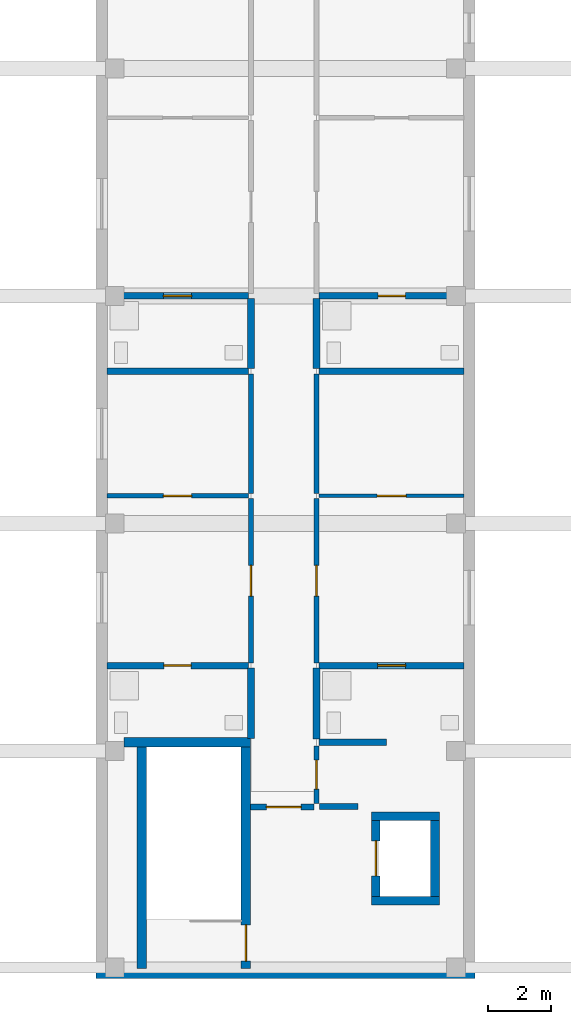
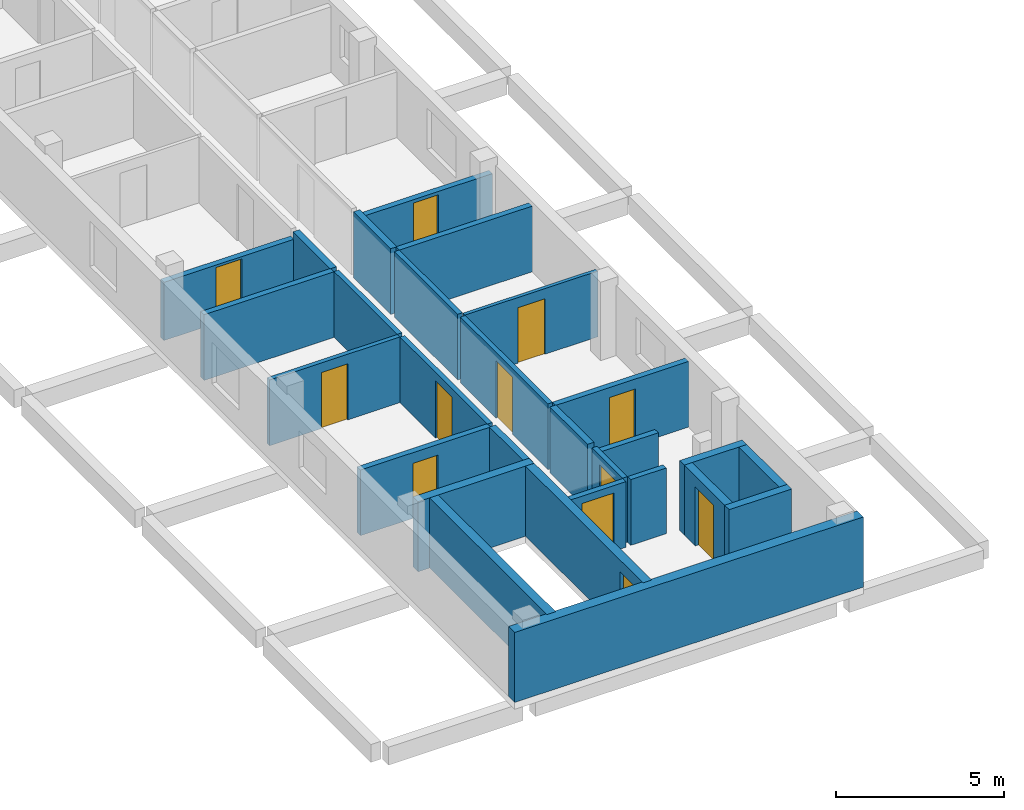
# One storey, part 11 of 34: 28 walls, 12 doors, 12 openings.
"""IFC4 building model written with IfcOpenShell, lengths in metres."""

import ifcopenshell
import ifcopenshell.guid

model = None  # the IFC model being written
_history = None  # IfcOwnerHistory: only IFC2X3 demands one
_inside = {}  # id of a spatial element -> (the spatial element, [elements in it])
_under = {}  # id of a project, library or spatial element -> (it, [spatial elements below it])
_declared = {}  # id of a project -> (the project, [libraries it declares])
_typed = {}  # id of a type object -> (the type object, [elements of that type])
_made_of = {}  # id of a material, layer set ... -> (it, [elements and type objects made of it])


def new_model(schema):
    """Start an empty IFC model of exactly this schema.

    Asked for "IFC4X3", IfcOpenShell would pick the latest addendum, in which some entities
    have other attributes; the version numbers below select the first issue.
    IFC2X3 requires an IfcOwnerHistory on every rooted entity: one is made here for all.
    """
    global model, _history
    if schema == "IFC4X3":
        model = ifcopenshell.file(schema_version=(4, 3, 0, 0))
    else:
        model = ifcopenshell.file(schema=schema)
    _inside.clear()
    _under.clear()
    _declared.clear()
    _typed.clear()
    _made_of.clear()
    _history = None
    if model.schema == "IFC2X3":
        org = make("IfcOrganization", Name="unknown")
        user = make(
            "IfcPersonAndOrganization",
            ThePerson=make("IfcPerson", FamilyName="unknown"),
            TheOrganization=org,
        )
        app = make(
            "IfcApplication",
            ApplicationDeveloper=org,
            Version="unknown",
            ApplicationFullName="unknown",
            ApplicationIdentifier="unknown",
        )
        _history = make(
            "IfcOwnerHistory",
            OwningUser=user,
            OwningApplication=app,
            ChangeAction="ADDED",
            CreationDate=0,
        )
    return model


def make(cls, **values):
    """One entity of the class cls with the attributes given. An attribute that is None is left unset."""
    return model.create_entity(
        cls, **{name: value for name, value in values.items() if value is not None}
    )


def rooted(cls, **values):
    """An entity with a GlobalId (a new one), such as an element, a storey or a relation."""
    return make(cls, GlobalId=ifcopenshell.guid.new(), OwnerHistory=_history, **values)


def si_unit(unit_type, name, prefix=None):
    """IfcSIUnit, for example si_unit("LENGTHUNIT", "METRE", prefix="MILLI")."""
    return make("IfcSIUnit", UnitType=unit_type, Prefix=prefix, Name=name)


def derived_unit(unit_type, elements):
    """IfcDerivedUnit: a product of units, each with its exponent."""
    return make(
        "IfcDerivedUnit",
        Elements=[
            make("IfcDerivedUnitElement", Unit=unit, Exponent=power)
            for unit, power in elements
        ],
        UnitType=unit_type,
    )


def assignment(units):
    """IfcUnitAssignment: the units of a project."""
    return None if units is None else make("IfcUnitAssignment", Units=units)


def point(xyz):
    """IfcCartesianPoint."""
    return None if xyz is None else make("IfcCartesianPoint", Coordinates=xyz)


def direction(xyz):
    """IfcDirection."""
    return None if xyz is None else make("IfcDirection", DirectionRatios=xyz)


def frame(location, z_axis=None, x_axis=None):
    """IfcAxis2Placement3D, a coordinate frame: its origin and axes. An axis left out is left unset."""
    return make(
        "IfcAxis2Placement3D",
        Location=point(location),
        Axis=direction(z_axis),
        RefDirection=direction(x_axis),
    )


def frame_2d(location, x_axis=None):
    """IfcAxis2Placement2D, a coordinate frame in the plane: its origin and x axis."""
    return make(
        "IfcAxis2Placement2D", Location=point(location), RefDirection=direction(x_axis)
    )


def origin():
    """The frame at (0, 0, 0) with its axes left unset."""
    return frame((0.0, 0.0, 0.0))


def place(relative_to, where):
    """IfcLocalPlacement: puts the frame where relative to a parent placement (None: the world)."""
    return make(
        "IfcLocalPlacement", PlacementRelTo=relative_to, RelativePlacement=where
    )


def context(
    kind, dimensions, precision=None, world=None, true_north=None, identifier=None
):
    """IfcGeometricRepresentationContext, for example the 3D "Model" context."""
    return make(
        "IfcGeometricRepresentationContext",
        ContextIdentifier=identifier,
        ContextType=kind,
        CoordinateSpaceDimension=dimensions,
        Precision=precision,
        WorldCoordinateSystem=world,
        TrueNorth=true_north,
    )


def subcontext(parent, identifier, kind, view, scale=None):
    """IfcGeometricRepresentationSubContext, for example "Body" below "Model"."""
    return make(
        "IfcGeometricRepresentationSubContext",
        ContextIdentifier=identifier,
        ContextType=kind,
        ParentContext=parent,
        TargetScale=scale,
        TargetView=view,
    )


def project(units=None, contexts=None):
    """IfcProject with its units and contexts."""
    return rooted(
        "IfcProject",
        Name="project",
        RepresentationContexts=contexts,
        UnitsInContext=assignment(units),
    )


def spatial(cls, under=None, at=None, **own):
    """A site, building, storey or space (cls), placed at a placement, below another one or the project."""
    s = rooted(cls, ObjectPlacement=at, **own)
    if under is not None:
        _under.setdefault(under.id(), (under, []))[1].append(s)
    return s


def profile(cls, at=None, kind="AREA", **sizes):
    """A parametric profile (cls). Its sizes go by their IFC names, for example OverallWidth=200.0."""
    return make(cls, ProfileType=kind, Position=at, **sizes)


def rectangle(**sizes):
    """IfcRectangleProfileDef."""
    return profile("IfcRectangleProfileDef", **sizes)


def extrude(swept, where, along, depth):
    """IfcExtrudedAreaSolid: the profile swept, set in the frame where, extruded along a direction by depth."""
    return make(
        "IfcExtrudedAreaSolid",
        SweptArea=swept,
        Position=where,
        ExtrudedDirection=direction(along),
        Depth=depth,
    )


def shape(context_of_items, identifier, shape_type, items):
    """IfcShapeRepresentation: the items that make up one representation, for example the "Body"."""
    return make(
        "IfcShapeRepresentation",
        ContextOfItems=context_of_items,
        RepresentationIdentifier=identifier,
        RepresentationType=shape_type,
        Items=items,
    )


def material(Name=None, Category=None):
    """IfcMaterial."""
    return make("IfcMaterial", Name=Name, Category=Category)


def layer(
    of_material, thickness, ventilated=None, Name=None, Category=None, Priority=None
):
    """IfcMaterialLayer: one layer of a wall or slab, of a material (None: an air gap)."""
    return make(
        "IfcMaterialLayer",
        Material=of_material,
        LayerThickness=thickness,
        IsVentilated=ventilated,
        Name=Name,
        Category=Category,
        Priority=Priority,
    )


def layer_set(layers, Name=None):
    """IfcMaterialLayerSet."""
    return make("IfcMaterialLayerSet", MaterialLayers=layers, LayerSetName=Name)


def made_of(thing, what):
    """Note that an element or type object is made of a material, layer set ...; save() writes the relation."""
    if what is not None:
        _made_of.setdefault(what.id(), (what, []))[1].append(thing)
    return thing


def type_object(cls, material=None, **own):
    """A type object (cls), such as IfcWallType, which elements share."""
    return made_of(rooted(cls, **own), material)


def element(
    cls,
    number,
    at=None,
    inside=None,
    cuts=None,
    type_object=None,
    material=None,
    context=None,
    identifier="Body",
    shape_type=None,
    held_by="IfcProductDefinitionShape",
    body=None,
    shapes=None,
    **own,
):
    """One element of the class cls, such as IfcWall. Its Tag is "e" and its number.

    at: its placement. inside: the storey or other place that contains it. cuts: it is an
    opening in that element (IfcRelVoidsElement). A single representation is given by context,
    identifier, shape_type and body (its items); several are given by shapes. held_by: the class
    of the entity that holds the representations. save() writes the other relations.
    """
    e = rooted(cls, Tag="e%d" % number, ObjectPlacement=at, **own)
    if body is not None:
        shapes = [shape(context, identifier, shape_type, body)]
    if shapes is not None:
        e.Representation = make(held_by, Representations=shapes)
    if inside is not None:
        _inside.setdefault(inside.id(), (inside, []))[1].append(e)
    if cuts is not None:
        rooted(
            "IfcRelVoidsElement", RelatingBuildingElement=cuts, RelatedOpeningElement=e
        )
    if type_object is not None:
        _typed.setdefault(type_object.id(), (type_object, []))[1].append(e)
    return made_of(e, material)


def fill(opening, filler):
    """IfcRelFillsElement: the door or window that sits in an opening."""
    return rooted(
        "IfcRelFillsElement",
        RelatingOpeningElement=opening,
        RelatedBuildingElement=filler,
    )


def aggregate(whole, parts):
    """IfcRelAggregates: a whole, such as a stair, and the parts it consists of."""
    return rooted("IfcRelAggregates", RelatingObject=whole, RelatedObjects=parts)


def save(model, path):
    """Write the relations noted so far, then the file.

    IfcRelAggregates (storeys below a building ...), IfcRelContainedInSpatialStructure (elements
    in a storey), IfcRelDefinesByType, IfcRelAssociatesMaterial and IfcRelDeclares: one each for
    every whole, place, type object, material and project.
    """
    for whole, parts in _under.values():
        aggregate(whole, parts)
    for where, things in _inside.values():
        rooted(
            "IfcRelContainedInSpatialStructure",
            RelatedElements=things,
            RelatingStructure=where,
        )
    for kind, things in _typed.values():
        rooted("IfcRelDefinesByType", RelatedObjects=things, RelatingType=kind)
    for what, things in _made_of.values():
        rooted("IfcRelAssociatesMaterial", RelatedObjects=things, RelatingMaterial=what)
    for by, libraries in _declared.values():
        rooted("IfcRelDeclares", RelatingContext=by, RelatedDefinitions=libraries)
    model.write(path)


model = new_model("IFC4")

# Units and contexts
model_context = context("Model", 3, precision=1e-05, world=origin(), true_north=direction((0.0, 1.0)))
body_context = subcontext(model_context, "Body", "Model", "MODEL_VIEW")
ifc_project = project(units=[si_unit("LENGTHUNIT", "METRE"), si_unit("AREAUNIT", "SQUARE_METRE"), si_unit("VOLUMEUNIT", "CUBIC_METRE"), si_unit("PLANEANGLEUNIT", "RADIAN"), si_unit("MASSUNIT", "GRAM", prefix="KILO"), derived_unit("THERMALTRANSMITTANCEUNIT", [(si_unit("MASSUNIT", "GRAM", prefix="KILO"), 1), (si_unit("TIMEUNIT", "SECOND"), -3), (si_unit("THERMODYNAMICTEMPERATUREUNIT", "KELVIN"), -1)])], contexts=[model_context])

# Site, building, storey
site_placement = place(None, origin())
site = spatial("IfcSite", under=ifc_project, at=site_placement, CompositionType="ELEMENT")
building_placement = place(site_placement, origin())
building = spatial("IfcBuilding", under=site, at=building_placement, Name="Ochrekiln Boulevard Commons", CompositionType="ELEMENT")
storey_placement = place(building_placement, frame((0.0, 0.0, 27.824951171875)))
storey = spatial("IfcBuildingStorey", under=building, at=storey_placement, Name="L08", CompositionType="ELEMENT", Elevation=27.824951171875)

# Walls
ifc_material_1 = material(Name="Iron-spot brown clinker brick masonry ASTM C216 Grade SW", Category="masonry")
ifc_layer_1 = layer(ifc_material_1, 0.364990234375)
ifc_layer_set_1 = layer_set([ifc_layer_1], Name="Iron-spot brown clinker brick masonry ASTM C216 Grade SW")
wall_type_1 = type_object("IfcWallType", Name="WL-EXT-IRON-365", PredefinedType="SOLIDWALL", material=ifc_layer_set_1)
wall_1_placement = place(storey_placement, frame((4.800048828125, 0.1826171875, 0.0), z_axis=(0.0, 0.0, 1.0), x_axis=(1.0, 0.0, 0.0)))
element("IfcWall", 1, at=wall_1_placement, inside=storey, type_object=wall_type_1, Name="Block D L08 S Exterior Wall", PredefinedType="SOLIDWALL", context=body_context, shape_type="SweptSolid", body=[
    extrude(rectangle(XDim=12.0, YDim=0.364990234375, at=frame_2d((6.0, 0.0))), origin(), (0.0, 0.0, 1.0), 2.550048828125),
])
ifc_material_2 = material(Name="Moisture-resistant cementitious tile backer wall")
ifc_layer_2 = layer(ifc_material_2, 0.199951171875)
ifc_layer_set_2 = layer_set([ifc_layer_2], Name="Moisture-resistant cementitious tile backer wall")
wall_type_2 = type_object("IfcWallType", Name="WL-PLM-200", PredefinedType="PLUMBINGWALL", material=ifc_layer_set_2)
wall_2_placement = place(storey_placement, frame((11.8720703125, 7.47509765625, 0.0), z_axis=(0.0, 0.0, 1.0), x_axis=(1.0, 0.0, 0.0)))
element("IfcWall", 2, at=wall_2_placement, inside=storey, type_object=wall_type_2, Name="L08 Interior Wall W-PW200", PredefinedType="PLUMBINGWALL", context=body_context, shape_type="SweptSolid", body=[
    extrude(rectangle(XDim=2.1279296875, YDim=0.199951171875, at=frame_2d((1.06396484375, 0.0))), origin(), (0.0, 0.0, 1.0), 2.1201171875),
])

# Wall, opening, door
wall_3_placement = place(storey_placement, frame((5.14990234375, 9.89990234375, 0.0), z_axis=(0.0, 0.0, 1.0), x_axis=(1.0, 0.0, 0.0)))
wall_3 = element("IfcWall", 3, at=wall_3_placement, inside=storey, type_object=wall_type_2, Name="L08 Interior Wall W-PW200", PredefinedType="PLUMBINGWALL", context=body_context, shape_type="SweptSolid", body=[
    extrude(rectangle(XDim=4.47802734375, YDim=0.199951171875, at=frame_2d((2.239013671875, 0.0))), origin(), (0.0, 0.0, 1.0), 2.39013671875),
])
opening_1_placement = place(wall_3_placement, frame((1.804931640625, 0.0, 0.0)))
opening_1 = element("IfcOpeningElement", 4, at=opening_1_placement, cuts=wall_3, Name="Opening D-L08-1084", PredefinedType="OPENING", context=body_context, shape_type="SweptSolid", body=[
    extrude(rectangle(XDim=0.860107421875, YDim=2.0, at=frame_2d((0.43017578125, 1.0))), frame((0.0, 0.10986328125, 0.0), z_axis=(0.0, -1.0, 0.0), x_axis=(1.0, 0.0, 0.0)), (0.0, 0.0, 1.0), 0.219970703125),
])
ifc_material_3 = material(Name="Solid core architectural oak door leaf")
door_type_1 = type_object("IfcDoorType", Name="DR-INT-BTH-086", OperationType="NOTDEFINED", PredefinedType="DOOR", material=ifc_material_3)
door_1_placement = place(opening_1_placement, frame((0.860107421875, 0.0, 0.0), z_axis=(0.0, 0.0, 1.0), x_axis=(-1.0, 0.0, 0.0)))
door_1 = element("IfcDoor", 5, at=door_1_placement, inside=storey, type_object=door_type_1, Name="L08 Interior Door to Loft Bathroom", OperationType="SINGLE_SWING_RIGHT", OverallHeight=2.0, OverallWidth=0.860107421875, PredefinedType="DOOR", context=body_context, shape_type="SweptSolid", body=[
    extrude(rectangle(XDim=0.860107421875, YDim=2.0, at=frame_2d((0.43017578125, 1.0))), frame((0.0, 0.02490234375, 0.0), z_axis=(0.0, -1.0, 0.0), x_axis=(1.0, 0.0, 0.0)), (0.0, 0.0, 1.0), 0.050048828125),
])
fill(opening_1, door_1)

# Wall
wall_4_placement = place(storey_placement, frame((5.14990234375, 19.216064453125, 0.0), z_axis=(0.0, 0.0, 1.0), x_axis=(1.0, 0.0, 0.0)))
element("IfcWall", 6, at=wall_4_placement, inside=storey, type_object=wall_type_2, Name="L08 Interior Wall W-PW200", PredefinedType="PLUMBINGWALL", context=body_context, shape_type="SweptSolid", body=[
    extrude(rectangle(XDim=4.47802734375, YDim=0.199951171875, at=frame_2d((2.239013671875, 0.0))), origin(), (0.0, 0.0, 1.0), 2.39013671875),
])

# Wall, opening, door
wall_5_placement = place(storey_placement, frame((5.14990234375, 21.60595703125, 0.0), z_axis=(0.0, 0.0, 1.0), x_axis=(1.0, 0.0, 0.0)))
wall_5 = element("IfcWall", 7, at=wall_5_placement, inside=storey, type_object=wall_type_2, Name="L08 Interior Wall W-PW200", PredefinedType="PLUMBINGWALL", context=body_context, shape_type="SweptSolid", body=[
    extrude(rectangle(XDim=4.47802734375, YDim=0.199951171875, at=frame_2d((2.239013671875, 0.0))), origin(), (0.0, 0.0, 1.0), 2.1201171875),
])
opening_2_placement = place(wall_5_placement, frame((1.7900390625, 0.0, 0.0)))
opening_2 = element("IfcOpeningElement", 8, at=opening_2_placement, cuts=wall_5, Name="Opening D-L08-1086", PredefinedType="OPENING", context=body_context, shape_type="SweptSolid", body=[
    extrude(rectangle(XDim=0.889892578125, YDim=2.030029296875, at=frame_2d((0.44482421875, 1.01513671875))), frame((0.0, 0.10986328125, 0.0), z_axis=(0.0, -1.0, 0.0), x_axis=(1.0, 0.0, 0.0)), (0.0, 0.0, 1.0), 0.219970703125),
])
door_type_2 = type_object("IfcDoorType", Name="DR-INT-BTH-089", OperationType="NOTDEFINED", PredefinedType="DOOR", material=ifc_material_3)
door_2_placement = place(opening_2_placement, frame((0.889892578125, 0.0, 0.0), z_axis=(0.0, 0.0, 1.0), x_axis=(-1.0, 0.0, 0.0)))
door_2 = element("IfcDoor", 9, at=door_2_placement, inside=storey, type_object=door_type_2, Name="L08 Interior Door to Loft Bathroom", OperationType="SINGLE_SWING_RIGHT", OverallHeight=2.030029296875, OverallWidth=0.889892578125, PredefinedType="DOOR", context=body_context, shape_type="SweptSolid", body=[
    extrude(rectangle(XDim=0.889892578125, YDim=2.030029296875, at=frame_2d((0.44482421875, 1.01513671875))), frame((0.0, 0.02490234375, 0.0), z_axis=(0.0, -1.0, 0.0), x_axis=(1.0, 0.0, 0.0)), (0.0, 0.0, 1.0), 0.050048828125),
])
fill(opening_2, door_2)

wall_6_placement = place(storey_placement, frame((11.8720703125, 9.89990234375, 0.0), z_axis=(0.0, 0.0, 1.0), x_axis=(1.0, 0.0, 0.0)))
wall_6 = element("IfcWall", 10, at=wall_6_placement, inside=storey, type_object=wall_type_2, Name="L08 Interior Wall W-PW200", PredefinedType="PLUMBINGWALL", context=body_context, shape_type="SweptSolid", body=[
    extrude(rectangle(XDim=4.577880859375, YDim=0.199951171875, at=frame_2d((2.2890625, 0.0))), origin(), (0.0, 0.0, 1.0), 2.39013671875),
])
opening_3_placement = place(wall_6_placement, frame((1.847900390625, 0.0, 0.0)))
opening_3 = element("IfcOpeningElement", 11, at=opening_3_placement, cuts=wall_6, Name="Opening D-L08-1090", PredefinedType="OPENING", context=body_context, shape_type="SweptSolid", body=[
    extrude(rectangle(XDim=0.889892578125, YDim=2.030029296875, at=frame_2d((0.44482421875, 1.01513671875))), frame((0.0, 0.10986328125, 0.0), z_axis=(0.0, -1.0, 0.0), x_axis=(1.0, 0.0, 0.0)), (0.0, 0.0, 1.0), 0.219970703125),
])
door_3_placement = place(opening_3_placement, frame((0.889892578125, 0.0, 0.0), z_axis=(0.0, 0.0, 1.0), x_axis=(-1.0, 0.0, 0.0)))
door_3 = element("IfcDoor", 12, at=door_3_placement, inside=storey, type_object=door_type_2, Name="L08 Interior Door to Loft Bathroom", OperationType="SINGLE_SWING_RIGHT", OverallHeight=2.030029296875, OverallWidth=0.889892578125, PredefinedType="DOOR", context=body_context, shape_type="SweptSolid", body=[
    extrude(rectangle(XDim=0.889892578125, YDim=2.030029296875, at=frame_2d((0.44482421875, 1.01513671875))), frame((0.0, 0.02490234375, 0.0), z_axis=(0.0, -1.0, 0.0), x_axis=(1.0, 0.0, 0.0)), (0.0, 0.0, 1.0), 0.050048828125),
])
fill(opening_3, door_3)

# Wall
wall_7_placement = place(storey_placement, frame((11.8720703125, 19.216064453125, 0.0), z_axis=(0.0, 0.0, 1.0), x_axis=(1.0, 0.0, 0.0)))
element("IfcWall", 13, at=wall_7_placement, inside=storey, type_object=wall_type_2, Name="L08 Interior Wall W-PW200", PredefinedType="PLUMBINGWALL", context=body_context, shape_type="SweptSolid", body=[
    extrude(rectangle(XDim=4.577880859375, YDim=0.199951171875, at=frame_2d((2.2890625, 0.0))), origin(), (0.0, 0.0, 1.0), 2.39013671875),
])

# Wall, opening, door
wall_8_placement = place(storey_placement, frame((11.8720703125, 21.60595703125, 0.0), z_axis=(0.0, 0.0, 1.0), x_axis=(1.0, 0.0, 0.0)))
wall_8 = element("IfcWall", 14, at=wall_8_placement, inside=storey, type_object=wall_type_2, Name="L08 Interior Wall W-PW200", PredefinedType="PLUMBINGWALL", context=body_context, shape_type="SweptSolid", body=[
    extrude(rectangle(XDim=4.577880859375, YDim=0.199951171875, at=frame_2d((2.2890625, 0.0))), origin(), (0.0, 0.0, 1.0), 2.1201171875),
])
opening_4_placement = place(wall_8_placement, frame((1.863037109375, 0.0, 0.0)))
opening_4 = element("IfcOpeningElement", 15, at=opening_4_placement, cuts=wall_8, Name="Opening D-L08-1092", PredefinedType="OPENING", context=body_context, shape_type="SweptSolid", body=[
    extrude(rectangle(XDim=0.860107421875, YDim=2.0, at=frame_2d((0.43017578125, 1.0))), frame((0.0, 0.10986328125, 0.0), z_axis=(0.0, -1.0, 0.0), x_axis=(1.0, 0.0, 0.0)), (0.0, 0.0, 1.0), 0.219970703125),
])
door_4_placement = place(opening_4_placement, frame((0.860107421875, 0.0, 0.0), z_axis=(0.0, 0.0, 1.0), x_axis=(-1.0, 0.0, 0.0)))
door_4 = element("IfcDoor", 16, at=door_4_placement, inside=storey, type_object=door_type_1, Name="L08 Interior Door to Loft Bathroom", OperationType="SINGLE_SWING_RIGHT", OverallHeight=2.0, OverallWidth=0.860107421875, PredefinedType="DOOR", context=body_context, shape_type="SweptSolid", body=[
    extrude(rectangle(XDim=0.860107421875, YDim=2.0, at=frame_2d((0.43017578125, 1.0))), frame((0.0, 0.02490234375, 0.0), z_axis=(0.0, -1.0, 0.0), x_axis=(1.0, 0.0, 0.0)), (0.0, 0.0, 1.0), 0.050048828125),
])
fill(opening_4, door_4)

# Walls
ifc_layer_3 = layer(ifc_material_2, 0.219970703125)
ifc_layer_set_3 = layer_set([ifc_layer_3], Name="Moisture-resistant cementitious tile backer wall")
wall_type_3 = type_object("IfcWallType", Name="WL-PLM-220", PredefinedType="PLUMBINGWALL", material=ifc_layer_set_3)
for number, where, z_axis, x_axis, name in (
    (17, (9.7099609375, 7.60009765625, 0.0), (0.0, 0.0, 1.0), (0.0, 1.0, 0.0), "L08 Interior Wall W-PW220"),
    (18, (9.7099609375, 19.305908203125, 0.0), (0.0, 0.0, 1.0), (0.0, 1.0, 0.0), "L08 Interior Wall W-PW220"),
):
    element("IfcWall", number, at=place(storey_placement, frame(where, z_axis=z_axis, x_axis=x_axis)), inside=storey, type_object=wall_type_3, Name=name, PredefinedType="PLUMBINGWALL", context=body_context, shape_type="SweptSolid", body=[
        extrude(rectangle(XDim=2.219970703125, YDim=0.219970703125, at=frame_2d((1.10986328125, 0.0))), origin(), (0.0, 0.0, 1.0), 2.39013671875),
    ])
wall_9_placement = place(storey_placement, frame((11.7900390625, 7.574951171875, 0.0), z_axis=(0.0, 0.0, 1.0), x_axis=(0.0, 1.0, 0.0)))
element("IfcWall", 19, at=wall_9_placement, inside=storey, type_object=wall_type_3, Name="L08 Interior Wall W-PW220", PredefinedType="PLUMBINGWALL", context=body_context, shape_type="SweptSolid", body=[
    extrude(rectangle(XDim=2.2451171875, YDim=0.219970703125, at=frame_2d((1.12255859375, 0.0))), origin(), (0.0, 0.0, 1.0), 2.39013671875),
])
wall_10_placement = place(storey_placement, frame((11.7900390625, 19.305908203125, 0.0), z_axis=(0.0, 0.0, 1.0), x_axis=(0.0, 1.0, 0.0)))
element("IfcWall", 20, at=wall_10_placement, inside=storey, type_object=wall_type_3, Name="L08 Interior Wall W-PW220", PredefinedType="PLUMBINGWALL", context=body_context, shape_type="SweptSolid", body=[
    extrude(rectangle(XDim=2.219970703125, YDim=0.219970703125, at=frame_2d((1.10986328125, 0.0))), origin(), (0.0, 0.0, 1.0), 2.39013671875),
])

# Wall, opening, door
ifc_material_4 = material(Name="Fire-rated Type X gypsum board on steel studs", Category="steel")
ifc_layer_4 = layer(ifc_material_4, 0.1650390625)
ifc_layer_set_4 = layer_set([ifc_layer_4], Name="Fire-rated Type X gypsum board on steel studs")
wall_type_4 = type_object("IfcWallType", Name="WL-PT-CORR-165", PredefinedType="PARTITIONING", material=ifc_layer_set_4)
wall_11_placement = place(storey_placement, frame((11.7900390625, 5.530029296875, 0.0), z_axis=(0.0, 0.0, 1.0), x_axis=(0.0, 1.0, 0.0)))
wall_11 = element("IfcWall", 21, at=wall_11_placement, inside=storey, type_object=wall_type_4, Name="L08 Interior Wall W-PC165", PredefinedType="PARTITIONING", context=body_context, shape_type="SweptSolid", body=[
    extrude(rectangle(XDim=1.820068359375, YDim=0.1650390625, at=frame_2d((0.91015625, 0.0))), origin(), (0.0, 0.0, 1.0), 2.39013671875),
])
opening_5_placement = place(wall_11_placement, frame((0.4599609375, 0.0, 0.0)))
opening_5 = element("IfcOpeningElement", 22, at=opening_5_placement, cuts=wall_11, Name="Opening D-L08-1077", PredefinedType="OPENING", context=body_context, shape_type="SweptSolid", body=[
    extrude(rectangle(XDim=0.919921875, YDim=2.0400390625, at=frame_2d((0.4599609375, 1.02001953125))), frame((0.0, 0.092529296875, 0.0), z_axis=(0.0, -1.0, 0.0), x_axis=(1.0, 0.0, 0.0)), (0.0, 0.0, 1.0), 0.18505859375),
])
ifc_material_5 = material(Name="Hollow metal fire-rated steel door assembly", Category="steel")
door_type_3 = type_object("IfcDoorType", Name="DR-SRV-90", OperationType="NOTDEFINED", PredefinedType="DOOR", material=ifc_material_5)
door_5_placement = place(opening_5_placement, frame((0.919921875, 0.0, 0.0), z_axis=(0.0, 0.0, 1.0), x_axis=(-1.0, 0.0, 0.0)))
door_5 = element("IfcDoor", 23, at=door_5_placement, inside=storey, type_object=door_type_3, Name="L08 Interior Door to Hydronic and Electrical Riser Room", OperationType="SINGLE_SWING_LEFT", OverallHeight=2.0400390625, OverallWidth=0.919921875, PredefinedType="DOOR", context=body_context, shape_type="SweptSolid", body=[
    extrude(rectangle(XDim=0.919921875, YDim=2.0400390625, at=frame_2d((0.4599609375, 1.02001953125))), frame((0.0, 0.02490234375, 0.0), z_axis=(0.0, -1.0, 0.0), x_axis=(1.0, 0.0, 0.0)), (0.0, 0.0, 1.0), 0.050048828125),
])
fill(opening_5, door_5)

wall_12_placement = place(storey_placement, frame((9.7099609375, 9.97998046875, 0.0), z_axis=(0.0, 0.0, 1.0), x_axis=(0.0, 1.0, 0.0)))
wall_12 = element("IfcWall", 24, at=wall_12_placement, inside=storey, type_object=wall_type_4, Name="L08 Interior Wall W-PC165", PredefinedType="PARTITIONING", context=body_context, shape_type="SweptSolid", body=[
    extrude(rectangle(XDim=5.216064453125, YDim=0.1650390625, at=frame_2d((2.60791015625, 0.0))), origin(), (0.0, 0.0, 1.0), 2.39013671875),
])
opening_6_placement = place(wall_12_placement, frame((2.117919921875, 0.0, 0.0)))
opening_6 = element("IfcOpeningElement", 25, at=opening_6_placement, cuts=wall_12, Name="Opening D-L08-1078", PredefinedType="OPENING", context=body_context, shape_type="SweptSolid", body=[
    extrude(rectangle(XDim=0.97998046875, YDim=2.080078125, at=frame_2d((0.489990234375, 1.0400390625))), frame((0.0, 0.092529296875, 0.0), z_axis=(0.0, -1.0, 0.0), x_axis=(1.0, 0.0, 0.0)), (0.0, 0.0, 1.0), 0.18505859375),
])
door_type_4 = type_object("IfcDoorType", Name="DR-APT-60", OperationType="NOTDEFINED", PredefinedType="DOOR", material=ifc_material_3)
door_6_placement = place(opening_6_placement, origin())
door_6 = element("IfcDoor", 26, at=door_6_placement, inside=storey, type_object=door_type_4, Name="L08 Interior Door to Loft Living Room", OperationType="SINGLE_SWING_RIGHT", OverallHeight=2.080078125, OverallWidth=0.97998046875, PredefinedType="DOOR", context=body_context, shape_type="SweptSolid", body=[
    extrude(rectangle(XDim=0.97998046875, YDim=2.080078125, at=frame_2d((0.489990234375, 1.0400390625))), frame((0.0, 0.02490234375, 0.0), z_axis=(0.0, -1.0, 0.0), x_axis=(1.0, 0.0, 0.0)), (0.0, 0.0, 1.0), 0.050048828125),
])
fill(opening_6, door_6)

# Wall
wall_13_placement = place(storey_placement, frame((9.7099609375, 15.35595703125, 0.0), z_axis=(0.0, 0.0, 1.0), x_axis=(0.0, 1.0, 0.0)))
element("IfcWall", 27, at=wall_13_placement, inside=storey, type_object=wall_type_4, Name="L08 Interior Wall W-PC165", PredefinedType="PARTITIONING", context=body_context, shape_type="SweptSolid", body=[
    extrude(rectangle(XDim=3.77001953125, YDim=0.1650390625, at=frame_2d((1.885009765625, 0.0))), origin(), (0.0, 0.0, 1.0), 2.39013671875),
])

# Wall, opening, door
wall_14_placement = place(storey_placement, frame((11.7900390625, 9.97998046875, 0.0), z_axis=(0.0, 0.0, 1.0), x_axis=(0.0, 1.0, 0.0)))
wall_14 = element("IfcWall", 28, at=wall_14_placement, inside=storey, type_object=wall_type_4, Name="L08 Interior Wall W-PC165", PredefinedType="PARTITIONING", context=body_context, shape_type="SweptSolid", body=[
    extrude(rectangle(XDim=5.216064453125, YDim=0.1650390625, at=frame_2d((2.60791015625, 0.0))), origin(), (0.0, 0.0, 1.0), 2.39013671875),
])
opening_7_placement = place(wall_14_placement, frame((2.117919921875, 0.0, 0.0)))
opening_7 = element("IfcOpeningElement", 29, at=opening_7_placement, cuts=wall_14, Name="Opening D-L08-1081", PredefinedType="OPENING", context=body_context, shape_type="SweptSolid", body=[
    extrude(rectangle(XDim=0.97998046875, YDim=2.080078125, at=frame_2d((0.489990234375, 1.0400390625))), frame((0.0, 0.092529296875, 0.0), z_axis=(0.0, -1.0, 0.0), x_axis=(1.0, 0.0, 0.0)), (0.0, 0.0, 1.0), 0.18505859375),
])
door_7_placement = place(opening_7_placement, frame((0.97998046875, 0.0, 0.0), z_axis=(0.0, 0.0, 1.0), x_axis=(-1.0, 0.0, 0.0)))
door_7 = element("IfcDoor", 30, at=door_7_placement, inside=storey, type_object=door_type_4, Name="L08 Interior Door to Loft Living Room", OperationType="SINGLE_SWING_LEFT", OverallHeight=2.080078125, OverallWidth=0.97998046875, PredefinedType="DOOR", context=body_context, shape_type="SweptSolid", body=[
    extrude(rectangle(XDim=0.97998046875, YDim=2.080078125, at=frame_2d((0.489990234375, 1.0400390625))), frame((0.0, 0.02490234375, 0.0), z_axis=(0.0, -1.0, 0.0), x_axis=(1.0, 0.0, 0.0)), (0.0, 0.0, 1.0), 0.050048828125),
])
fill(opening_7, door_7)

# Walls
wall_15_placement = place(storey_placement, frame((11.7900390625, 15.35595703125, 0.0), z_axis=(0.0, 0.0, 1.0), x_axis=(0.0, 1.0, 0.0)))
element("IfcWall", 31, at=wall_15_placement, inside=storey, type_object=wall_type_4, Name="L08 Interior Wall W-PC165", PredefinedType="PARTITIONING", context=body_context, shape_type="SweptSolid", body=[
    extrude(rectangle(XDim=3.77001953125, YDim=0.1650390625, at=frame_2d((1.885009765625, 0.0))), origin(), (0.0, 0.0, 1.0), 2.39013671875),
])
ifc_layer_5 = layer(ifc_material_4, 0.18994140625)
ifc_layer_set_5 = layer_set([ifc_layer_5], Name="Fire-rated Type X gypsum board on steel studs")
wall_type_5 = type_object("IfcWallType", Name="WL-PT-LBY-190", PredefinedType="PARTITIONING", material=ifc_layer_set_5)
wall_16_placement = place(storey_placement, frame((11.8798828125, 5.43505859375, 0.0), z_axis=(0.0, 0.0, 1.0), x_axis=(1.0, 0.0, 0.0)))
element("IfcWall", 32, at=wall_16_placement, inside=storey, type_object=wall_type_5, Name="L08 Interior Wall W-PL190", PredefinedType="PARTITIONING", context=body_context, shape_type="SweptSolid", body=[
    extrude(rectangle(XDim=1.22021484375, YDim=0.18994140625, at=frame_2d((0.610107421875, 0.0))), origin(), (0.0, 0.0, 1.0), 2.39013671875),
])

# Wall, opening, door
wall_17_placement = place(storey_placement, frame((9.699951171875, 5.419921875, 0.0), z_axis=(0.0, 0.0, 1.0), x_axis=(1.0, 0.0, 0.0)))
wall_17 = element("IfcWall", 33, at=wall_17_placement, inside=storey, type_object=wall_type_5, Name="L08 Interior Wall W-PL190", PredefinedType="PARTITIONING", context=body_context, shape_type="SweptSolid", body=[
    extrude(rectangle(XDim=2.0, YDim=0.18994140625, at=frame_2d((1.0, 0.0))), origin(), (0.0, 0.0, 1.0), 2.39013671875),
])
opening_8_placement = place(wall_17_placement, frame((0.5, 0.0, 0.0)))
opening_8 = element("IfcOpeningElement", 34, at=opening_8_placement, cuts=wall_17, Name="Opening D-L08-1075", PredefinedType="OPENING", context=body_context, shape_type="SweptSolid", body=[
    extrude(rectangle(XDim=1.10009765625, YDim=2.1201171875, at=frame_2d((0.550048828125, 1.06005859375))), frame((0.0, 0.10498046875, 0.0), z_axis=(0.0, -1.0, 0.0), x_axis=(1.0, 0.0, 0.0)), (0.0, 0.0, 1.0), 0.2099609375),
])
door_type_5 = type_object("IfcDoorType", Name="DR-LOBBY-60", OperationType="NOTDEFINED", PredefinedType="DOOR", material=ifc_material_5)
door_8_placement = place(opening_8_placement, frame((1.10009765625, 0.0, 0.0), z_axis=(0.0, 0.0, 1.0), x_axis=(-1.0, 0.0, 0.0)))
door_8 = element("IfcDoor", 35, at=door_8_placement, inside=storey, type_object=door_type_5, Name="L08 Interior Door to Passenger Elevator Lobby", OperationType="SINGLE_SWING_LEFT", OverallHeight=2.1201171875, OverallWidth=1.10009765625, PredefinedType="DOOR", context=body_context, shape_type="SweptSolid", body=[
    extrude(rectangle(XDim=1.10009765625, YDim=2.1201171875, at=frame_2d((0.550048828125, 1.06005859375))), frame((0.0, 0.02490234375, 0.0), z_axis=(0.0, -1.0, 0.0), x_axis=(1.0, 0.0, 0.0)), (0.0, 0.0, 1.0), 0.050048828125),
])
fill(opening_8, door_8)

ifc_layer_6 = layer(ifc_material_4, 0.1201171875)
ifc_layer_set_6 = layer_set([ifc_layer_6], Name="Fire-rated Type X gypsum board on steel studs")
wall_type_6 = type_object("IfcWallType", Name="WL-PT-LGT-120", PredefinedType="PARTITIONING", material=ifc_layer_set_6)
wall_18_placement = place(storey_placement, frame((11.8720703125, 15.27587890625, 0.0), z_axis=(0.0, 0.0, 1.0), x_axis=(1.0, 0.0, 0.0)))
wall_18 = element("IfcWall", 36, at=wall_18_placement, inside=storey, type_object=wall_type_6, Name="L08 Interior Wall W-PL120", PredefinedType="PARTITIONING", context=body_context, shape_type="SweptSolid", body=[
    extrude(rectangle(XDim=4.577880859375, YDim=0.1201171875, at=frame_2d((2.2890625, 0.0))), origin(), (0.0, 0.0, 1.0), 2.39013671875),
])
opening_9_placement = place(wall_18_placement, frame((1.8330078125, 0.0, 0.0)))
opening_9 = element("IfcOpeningElement", 37, at=opening_9_placement, cuts=wall_18, Name="Opening D-L08-1091", PredefinedType="OPENING", context=body_context, shape_type="SweptSolid", body=[
    extrude(rectangle(XDim=0.919921875, YDim=2.02001953125, at=frame_2d((0.4599609375, 1.010009765625))), frame((0.0, 0.070068359375, 0.0), z_axis=(0.0, -1.0, 0.0), x_axis=(1.0, 0.0, 0.0)), (0.0, 0.0, 1.0), 0.14013671875),
])
door_type_6 = type_object("IfcDoorType", Name="DR-INT-KIT-092", OperationType="NOTDEFINED", PredefinedType="DOOR", material=ifc_material_3)
door_9_placement = place(opening_9_placement, origin())
door_9 = element("IfcDoor", 38, at=door_9_placement, inside=storey, type_object=door_type_6, Name="L08 Interior Door to Loft Kitchen", OperationType="SINGLE_SWING_LEFT", OverallHeight=2.02001953125, OverallWidth=0.919921875, PredefinedType="DOOR", context=body_context, shape_type="SweptSolid", body=[
    extrude(rectangle(XDim=0.919921875, YDim=2.02001953125, at=frame_2d((0.4599609375, 1.010009765625))), frame((0.0, 0.02490234375, 0.0), z_axis=(0.0, -1.0, 0.0), x_axis=(1.0, 0.0, 0.0)), (0.0, 0.0, 1.0), 0.050048828125),
])
fill(opening_9, door_9)

ifc_layer_7 = layer(ifc_material_4, 0.14990234375)
ifc_layer_set_7 = layer_set([ifc_layer_7], Name="Fire-rated Type X gypsum board on steel studs")
wall_type_7 = type_object("IfcWallType", Name="WL-PT-STD-150", PredefinedType="PARTITIONING", material=ifc_layer_set_7)
wall_19_placement = place(storey_placement, frame((5.14990234375, 15.27587890625, 0.0), z_axis=(0.0, 0.0, 1.0), x_axis=(1.0, 0.0, 0.0)))
wall_19 = element("IfcWall", 39, at=wall_19_placement, inside=storey, type_object=wall_type_7, Name="L08 Interior Wall W-PS150", PredefinedType="PARTITIONING", context=body_context, shape_type="SweptSolid", body=[
    extrude(rectangle(XDim=4.47802734375, YDim=0.14990234375, at=frame_2d((2.239013671875, 0.0))), origin(), (0.0, 0.0, 1.0), 2.39013671875),
])
opening_10_placement = place(wall_19_placement, frame((1.784912109375, 0.0, 0.0)))
opening_10 = element("IfcOpeningElement", 40, at=opening_10_placement, cuts=wall_19, Name="Opening D-L08-1085", PredefinedType="OPENING", context=body_context, shape_type="SweptSolid", body=[
    extrude(rectangle(XDim=0.89990234375, YDim=2.0400390625, at=frame_2d((0.449951171875, 1.02001953125))), frame((0.0, 0.0849609375, 0.0), z_axis=(0.0, -1.0, 0.0), x_axis=(1.0, 0.0, 0.0)), (0.0, 0.0, 1.0), 0.169921875),
])
door_type_7 = type_object("IfcDoorType", Name="DR-INT-BED-090", OperationType="NOTDEFINED", PredefinedType="DOOR", material=ifc_material_3)
door_10_placement = place(opening_10_placement, origin())
door_10 = element("IfcDoor", 41, at=door_10_placement, inside=storey, type_object=door_type_7, Name="L08 Interior Door to Loft Bedroom", OperationType="SINGLE_SWING_LEFT", OverallHeight=2.0400390625, OverallWidth=0.89990234375, PredefinedType="DOOR", context=body_context, shape_type="SweptSolid", body=[
    extrude(rectangle(XDim=0.89990234375, YDim=2.0400390625, at=frame_2d((0.449951171875, 1.02001953125))), frame((0.0, 0.02490234375, 0.0), z_axis=(0.0, -1.0, 0.0), x_axis=(1.0, 0.0, 0.0)), (0.0, 0.0, 1.0), 0.050048828125),
])
fill(opening_10, door_10)

# Walls
ifc_material_6 = material(Name="Concrete C40/50", Category="concrete")
ifc_layer_8 = layer(ifc_material_6, 0.27490234375)
ifc_layer_set_8 = layer_set([ifc_layer_8], Name="Concrete C40/50")
wall_type_8 = type_object("IfcWallType", Name="WL-SH-275", PredefinedType="SHEAR", material=ifc_layer_set_8)
for number, where, z_axis, x_axis, name in (
    (42, (13.52490234375, 2.46240234375, 0.0), (0.0, 0.0, 1.0), (1.0, 0.0, 0.0), "Elevator LP-D1 L08 Hoistway Shear Wall"),
    (43, (13.52490234375, 5.137451171875, 0.0), (0.0, 0.0, 1.0), (1.0, 0.0, 0.0), "Elevator LP-D1 L08 Hoistway Shear Wall"),
):
    element("IfcWall", number, at=place(storey_placement, frame(where, z_axis=z_axis, x_axis=x_axis)), inside=storey, type_object=wall_type_8, Name=name, PredefinedType="SHEAR", context=body_context, shape_type="SweptSolid", body=[
        extrude(rectangle(XDim=2.150146484375, YDim=0.27490234375, at=frame_2d((1.0751953125, 0.0))), origin(), (0.0, 0.0, 1.0), 2.550048828125),
    ])

# Wall, opening, door
wall_20_placement = place(storey_placement, frame((13.66259765625, 2.60009765625, 0.0), z_axis=(0.0, 0.0, 1.0), x_axis=(0.0, 1.0, 0.0)))
wall_20 = element("IfcWall", 44, at=wall_20_placement, inside=storey, type_object=wall_type_8, Name="Elevator LP-D1 L08 Hoistway Shear Wall", PredefinedType="SHEAR", context=body_context, shape_type="SweptSolid", body=[
    extrude(rectangle(XDim=2.39990234375, YDim=0.27490234375, at=frame_2d((1.199951171875, 0.0))), origin(), (0.0, 0.0, 1.0), 2.550048828125),
])
opening_11_placement = place(wall_20_placement, frame((0.64990234375, 0.0, 0.0)))
opening_11 = element("IfcOpeningElement", 45, at=opening_11_placement, cuts=wall_20, Name="Opening LD-LP-D1-L08", PredefinedType="OPENING", context=body_context, shape_type="SweptSolid", body=[
    extrude(rectangle(XDim=1.10009765625, YDim=2.14990234375, at=frame_2d((0.550048828125, 1.074951171875))), frame((0.0, 0.1474609375, 0.0), z_axis=(0.0, -1.0, 0.0), x_axis=(1.0, 0.0, 0.0)), (0.0, 0.0, 1.0), 0.294921875),
])
ifc_material_7 = material(Name="Brushed stainless steel 316 elevator cab and doors", Category="steel")
door_type_8 = type_object("IfcDoorType", Name="DR-LIFT-LD90", OperationType="SLIDING_TO_LEFT", PredefinedType="DOOR", material=ifc_material_7)
door_11_placement = place(opening_11_placement, origin())
door_11 = element("IfcDoor", 46, at=door_11_placement, inside=storey, type_object=door_type_8, Name="Elevator LP-D1 L08 Sliding Landing Door LD-LP-D1-L08", OperationType="SLIDING_TO_LEFT", OverallHeight=2.14990234375, OverallWidth=1.10009765625, PredefinedType="DOOR", context=body_context, shape_type="SweptSolid", body=[
    extrude(rectangle(XDim=1.10009765625, YDim=2.14990234375, at=frame_2d((0.550048828125, 1.074951171875))), frame((0.0, 0.02490234375, 0.0), z_axis=(0.0, -1.0, 0.0), x_axis=(1.0, 0.0, 0.0)), (0.0, 0.0, 1.0), 0.050048828125),
])
fill(opening_11, door_11)

# Walls
wall_21_placement = place(storey_placement, frame((15.53759765625, 2.60009765625, 0.0), z_axis=(0.0, 0.0, 1.0), x_axis=(0.0, 1.0, 0.0)))
element("IfcWall", 47, at=wall_21_placement, inside=storey, type_object=wall_type_8, Name="Elevator LP-D1 L08 Hoistway Shear Wall", PredefinedType="SHEAR", context=body_context, shape_type="SweptSolid", body=[
    extrude(rectangle(XDim=2.39990234375, YDim=0.27490234375, at=frame_2d((1.199951171875, 0.0))), origin(), (0.0, 0.0, 1.0), 2.550048828125),
])
ifc_layer_9 = layer(ifc_material_6, 0.300048828125)
ifc_layer_set_9 = layer_set([ifc_layer_9], Name="Concrete C40/50")
wall_type_9 = type_object("IfcWallType", Name="WL-SH-300", PredefinedType="SHEAR", material=ifc_layer_set_9)
wall_22_placement = place(storey_placement, frame((5.699951171875, 7.469970703125, 0.0), z_axis=(0.0, 0.0, 1.0), x_axis=(1.0, 0.0, 0.0)))
element("IfcWall", 48, at=wall_22_placement, inside=storey, type_object=wall_type_9, Name="Stair ST-D1 L08 Core Shear Wall N", PredefinedType="SHEAR", context=body_context, shape_type="SweptSolid", body=[
    extrude(rectangle(XDim=4.0, YDim=0.300048828125, at=frame_2d((2.0, 0.0))), origin(), (0.0, 0.0, 1.0), 2.550048828125),
])
wall_23_placement = place(storey_placement, frame((6.25, 0.320068359375, 0.0), z_axis=(0.0, 0.0, 1.0), x_axis=(0.0, 1.0, 0.0)))
element("IfcWall", 49, at=wall_23_placement, inside=storey, type_object=wall_type_9, Name="Stair ST-D1 L08 Core Shear Wall W", PredefinedType="SHEAR", context=body_context, shape_type="SweptSolid", body=[
    extrude(rectangle(XDim=7.0, YDim=0.300048828125, at=frame_2d((3.5, 0.0))), origin(), (0.0, 0.0, 1.0), 2.550048828125),
])

# Wall, opening, door
wall_24_placement = place(storey_placement, frame((9.550048828125, 0.320068359375, 0.0), z_axis=(0.0, 0.0, 1.0), x_axis=(0.0, 1.0, 0.0)))
wall_24 = element("IfcWall", 50, at=wall_24_placement, inside=storey, type_object=wall_type_9, Name="Stair ST-D1 L08 Core Shear Wall E", PredefinedType="SHEAR", context=body_context, shape_type="SweptSolid", body=[
    extrude(rectangle(XDim=7.0, YDim=0.300048828125, at=frame_2d((3.5, 0.0))), origin(), (0.0, 0.0, 1.0), 2.550048828125),
])
opening_12_placement = place(wall_24_placement, frame((0.22509765625, 0.0, 0.0)))
opening_12 = element("IfcOpeningElement", 51, at=opening_12_placement, cuts=wall_24, Name="Opening D-L08-ST-D1", PredefinedType="OPENING", context=body_context, shape_type="SweptSolid", body=[
    extrude(rectangle(XDim=1.14990234375, YDim=2.1201171875, at=frame_2d((0.574951171875, 1.06005859375))), frame((0.0, 0.159912109375, 0.0), z_axis=(0.0, -1.0, 0.0), x_axis=(1.0, 0.0, 0.0)), (0.0, 0.0, 1.0), 0.320068359375),
])
door_type_9 = type_object("IfcDoorType", Name="DR-STAIR-90", OperationType="NOTDEFINED", PredefinedType="DOOR", material=ifc_material_5)
door_12_placement = place(opening_12_placement, origin())
door_12 = element("IfcDoor", 52, at=door_12_placement, inside=storey, type_object=door_type_9, Name="Enclosed Exit Stair ST-D1 L08 Rated Door", OperationType="SINGLE_SWING_RIGHT", OverallHeight=2.1201171875, OverallWidth=1.14990234375, PredefinedType="DOOR", context=body_context, shape_type="SweptSolid", body=[
    extrude(rectangle(XDim=1.14990234375, YDim=2.1201171875, at=frame_2d((0.574951171875, 1.06005859375))), frame((0.0, 0.02490234375, 0.0), z_axis=(0.0, -1.0, 0.0), x_axis=(1.0, 0.0, 0.0)), (0.0, 0.0, 1.0), 0.050048828125),
])
fill(opening_12, door_12)

save(model, "model.ifc")
